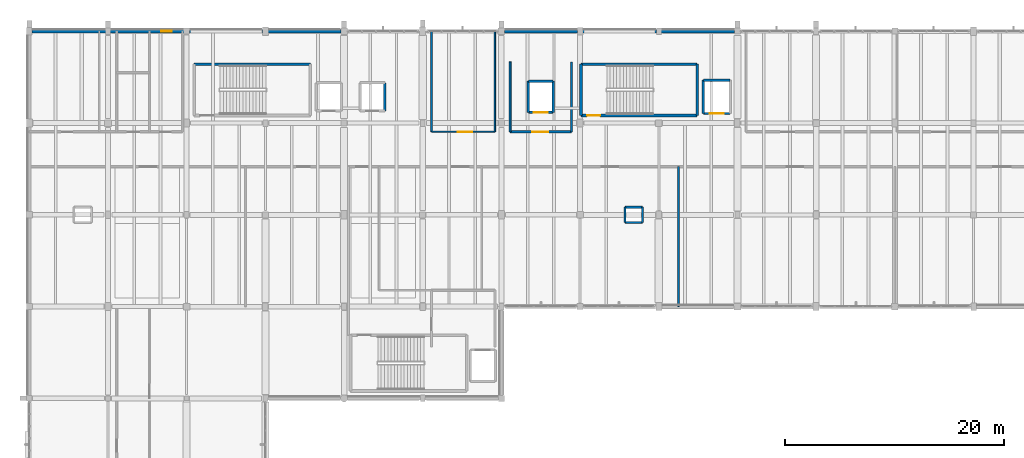
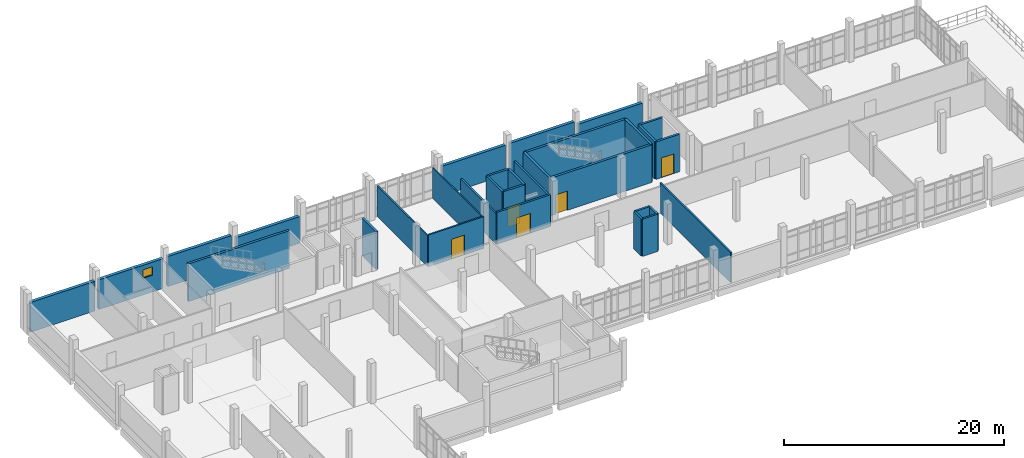
# One storey, part 55 of 62: 31 walls, 5 doors, 1 window, 6 openings.
"""IFC4 building model written with IfcOpenShell, lengths in metres."""

from ifc_helpers import new_model, si_unit, direction, frame, frame_2d, origin, place, context, subcontext, project, spatial, rectangle, extrude, material, layer, layer_set, type_object, element, fill, save


model = new_model("IFC4")

# Units and contexts
model_context = context("Model", 3, precision=1e-05, world=origin(), true_north=direction((0.0, 1.0)))
body_context = subcontext(model_context, "Body", "Model", "MODEL_VIEW")
ifc_project = project(units=[si_unit("LENGTHUNIT", "METRE"), si_unit("AREAUNIT", "SQUARE_METRE"), si_unit("VOLUMEUNIT", "CUBIC_METRE"), si_unit("PLANEANGLEUNIT", "RADIAN"), si_unit("MASSUNIT", "GRAM", prefix="KILO")], contexts=[model_context])

# Site, building, storey
site_placement = place(None, origin())
site = spatial("IfcSite", under=ifc_project, at=site_placement, CompositionType="ELEMENT")
building_placement = place(site_placement, origin())
building = spatial("IfcBuilding", under=site, at=building_placement, Name="Kalluvel Institute of Natural Sciences", CompositionType="ELEMENT")
storey_placement = place(building_placement, frame((0.0, 0.0, 27.89990234375)))
storey = spatial("IfcBuildingStorey", under=building, at=storey_placement, Name="L06", CompositionType="ELEMENT", Elevation=27.89990234375)

# Wall
ifc_material_1 = material(Name="Concrete M40", Category="concrete")
ifc_layer_1 = layer(ifc_material_1, 0.25)
ifc_layer_set_1 = layer_set([ifc_layer_1], Name="Concrete M40")
wall_type_1 = type_object("IfcWallType", Name="WL-CORE-250", PredefinedType="SHEAR", material=ifc_layer_set_1)
wall_1_placement = place(storey_placement, frame((39.715087890625, 124.985107421875, 0.0), z_axis=(0.0, 0.0, 1.0), x_axis=(-1.0, 0.0, 0.0)))
element("IfcWall", 1, at=wall_1_placement, inside=storey, type_object=wall_type_1, Name="ST1 L06 core wall N", PredefinedType="SHEAR", context=body_context, shape_type="SweptSolid", body=[
    extrude(rectangle(XDim=10.630126953125, YDim=0.25, at=frame_2d((5.31494140625, 0.0))), origin(), (0.0, 0.0, 1.0), 4.175048828125),
])

# Wall, opening, door
wall_2_placement = place(storey_placement, frame((64.485107421875, 120.284912109375, 0.0), z_axis=(0.0, 0.0, 1.0), x_axis=(1.0, 0.0, 0.0)))
wall_2 = element("IfcWall", 2, at=wall_2_placement, inside=storey, type_object=wall_type_1, Name="ST2 L06 core wall S", PredefinedType="SHEAR", context=body_context, shape_type="SweptSolid", body=[
    extrude(rectangle(XDim=10.6298828125, YDim=0.25, at=frame_2d((5.31494140625, 0.0))), origin(), (0.0, 0.0, 1.0), 4.175048828125),
])
opening_1_placement = place(wall_2_placement, frame((0.550048828125, 0.0, 0.0)))
opening_1 = element("IfcOpeningElement", 3, at=opening_1_placement, cuts=wall_2, Name="Opening DS-019", PredefinedType="OPENING", context=body_context, shape_type="SweptSolid", body=[
    extrude(rectangle(XDim=1.199951171875, YDim=2.14990234375, at=frame_2d((0.60009765625, 1.074951171875))), frame((0.0, 0.135009765625, 0.0), z_axis=(0.0, -1.0, 0.0), x_axis=(1.0, 0.0, 0.0)), (0.0, 0.0, 1.0), 0.27001953125),
])
ifc_material_2 = material(Name="Galvanized Fire-Rated Steel", Category="steel")
door_type_1 = type_object("IfcDoorType", Name="DR-ST-1200", OperationType="NOTDEFINED", PredefinedType="DOOR", material=ifc_material_2)
door_1_placement = place(opening_1_placement, origin())
door_1 = element("IfcDoor", 4, at=door_1_placement, inside=storey, type_object=door_type_1, Name="ST2 L06 protected stair door DS-019", OperationType="SINGLE_SWING_RIGHT", OverallHeight=2.14990234375, OverallWidth=1.199951171875, PredefinedType="DOOR", context=body_context, shape_type="SweptSolid", body=[
    extrude(rectangle(XDim=1.199951171875, YDim=2.14990234375, at=frame_2d((0.60009765625, 1.074951171875))), frame((0.0, 0.02490234375, 0.0), z_axis=(0.0, -1.0, 0.0), x_axis=(1.0, 0.0, 0.0)), (0.0, 0.0, 1.0), 0.050048828125),
])
fill(opening_1, door_1)

# Walls
wall_3_placement = place(storey_placement, frame((75.114990234375, 120.284912109375, 0.0), z_axis=(0.0, 0.0, 1.0), x_axis=(0.0, 1.0, 0.0)))
element("IfcWall", 5, at=wall_3_placement, inside=storey, type_object=wall_type_1, Name="ST2 L06 core wall E", PredefinedType="SHEAR", context=body_context, shape_type="SweptSolid", body=[
    extrude(rectangle(XDim=4.7001953125, YDim=0.25, at=frame_2d((2.35009765625, 0.0))), origin(), (0.0, 0.0, 1.0), 4.175048828125),
])
wall_4_placement = place(storey_placement, frame((75.114990234375, 124.985107421875, 0.0), z_axis=(0.0, 0.0, 1.0), x_axis=(-1.0, 0.0, 0.0)))
element("IfcWall", 6, at=wall_4_placement, inside=storey, type_object=wall_type_1, Name="ST2 L06 core wall N", PredefinedType="SHEAR", context=body_context, shape_type="SweptSolid", body=[
    extrude(rectangle(XDim=10.6298828125, YDim=0.25, at=frame_2d((5.31494140625, 0.0))), origin(), (0.0, 0.0, 1.0), 4.175048828125),
])
wall_5_placement = place(storey_placement, frame((64.485107421875, 124.985107421875, 0.0), z_axis=(0.0, 0.0, 1.0), x_axis=(0.0, -1.0, 0.0)))
element("IfcWall", 7, at=wall_5_placement, inside=storey, type_object=wall_type_1, Name="ST2 L06 core wall W", PredefinedType="SHEAR", context=body_context, shape_type="SweptSolid", body=[
    extrude(rectangle(XDim=4.7001953125, YDim=0.25, at=frame_2d((2.35009765625, 0.0))), origin(), (0.0, 0.0, 1.0), 4.175048828125),
])
ifc_material_3 = material(Name="Sadarahalli Grey Granite Ashlar Concrete M40", Category="masonry")
ifc_layer_2 = layer(ifc_material_3, 0.320068359375)
ifc_layer_set_2 = layer_set([ifc_layer_2], Name="Sadarahalli Grey Granite Ashlar Concrete M40")
wall_type_2 = type_object("IfcWallType", Name="WL-EXT-320", PredefinedType="SOLIDWALL", material=ifc_layer_set_2)
wall_6_placement = place(storey_placement, frame((14.22998046875, 128.0, 0.0), z_axis=(0.0, 0.0, 1.0), x_axis=(1.0, 0.0, 0.0)))
element("IfcWall", 8, at=wall_6_placement, inside=storey, type_object=wall_type_2, Name="L06 Sadarahalli granite exterior wall WL-EXT-L06-0074", PredefinedType="SOLIDWALL", context=body_context, shape_type="SweptSolid", body=[
    extrude(rectangle(XDim=6.76513671875, YDim=0.320068359375, at=frame_2d((3.382568359375, 0.0))), origin(), (0.0, 0.0, 1.0), 3.30517578125),
])

# Wall, opening, window
wall_7_placement = place(storey_placement, frame((21.405029296875, 128.0, 0.0), z_axis=(0.0, 0.0, 1.0), x_axis=(1.0, 0.0, 0.0)))
wall_7 = element("IfcWall", 9, at=wall_7_placement, inside=storey, type_object=wall_type_2, Name="L06 Sadarahalli granite exterior wall WL-EXT-L06-0075", PredefinedType="SOLIDWALL", context=body_context, shape_type="SweptSolid", body=[
    extrude(rectangle(XDim=6.739990234375, YDim=0.320068359375, at=frame_2d((3.3701171875, 0.0))), origin(), (0.0, 0.0, 1.0), 3.30517578125),
])
opening_2_placement = place(wall_7_placement, frame((4.64990234375, 0.0, 1.85009765625)))
opening_2 = element("IfcOpeningElement", 10, at=opening_2_placement, cuts=wall_7, Name="Opening W-23", PredefinedType="OPENING", context=body_context, shape_type="SweptSolid", body=[
    extrude(rectangle(XDim=1.0, YDim=0.949951171875, at=frame_2d((0.5, 0.47509765625))), frame((0.0, 0.169921875, 0.0), z_axis=(0.0, -1.0, 0.0), x_axis=(1.0, 0.0, 0.0)), (0.0, 0.0, 1.0), 0.340087890625),
])
ifc_material_4 = material(Name="Solar-Control Low-E Laminated Glass", Category="glass")
window_type = type_object("IfcWindowType", Name="WN-HIGH-100x095", PartitioningType="SINGLE_PANEL", PredefinedType="WINDOW", material=ifc_material_4)
window_placement = place(opening_2_placement, origin())
window = element("IfcWindow", 11, at=window_placement, inside=storey, type_object=window_type, Name="L06 Gothic lancet window 20", OverallHeight=0.949951171875, OverallWidth=1.0, PartitioningType="SINGLE_PANEL", PredefinedType="WINDOW", context=body_context, shape_type="SweptSolid", body=[
    extrude(rectangle(XDim=1.0, YDim=0.949951171875, at=frame_2d((0.5, 0.47509765625))), frame((0.0, 0.030029296875, 0.0), z_axis=(0.0, -1.0, 0.0), x_axis=(1.0, 0.0, 0.0)), (0.0, 0.0, 1.0), 0.06005859375),
])
fill(opening_2, window)

# Walls
wall_8_placement = place(storey_placement, frame((28.655029296875, 128.0, 0.0), z_axis=(0.0, 0.0, 1.0), x_axis=(1.0, 0.0, 0.0)))
element("IfcWall", 12, at=wall_8_placement, inside=storey, type_object=wall_type_2, Name="L06 Sadarahalli granite exterior wall WL-EXT-L06-0076", PredefinedType="SOLIDWALL", context=body_context, shape_type="SweptSolid", body=[
    extrude(rectangle(XDim=6.68994140625, YDim=0.320068359375, at=frame_2d((3.344970703125, 0.0))), origin(), (0.0, 0.0, 1.0), 3.35498046875),
])
wall_9_placement = place(storey_placement, frame((35.85498046875, 128.0, 0.0), z_axis=(0.0, 0.0, 1.0), x_axis=(1.0, 0.0, 0.0)))
element("IfcWall", 13, at=wall_9_placement, inside=storey, type_object=wall_type_2, Name="L06 Sadarahalli granite exterior wall WL-EXT-L06-0077", PredefinedType="SOLIDWALL", context=body_context, shape_type="SweptSolid", body=[
    extrude(rectangle(XDim=6.6650390625, YDim=0.320068359375, at=frame_2d((3.33251953125, 0.0))), origin(), (0.0, 0.0, 1.0), 2.955078125),
])
wall_10_placement = place(storey_placement, frame((57.47998046875, 128.0, 0.0), z_axis=(0.0, 0.0, 1.0), x_axis=(1.0, 0.0, 0.0)))
element("IfcWall", 14, at=wall_10_placement, inside=storey, type_object=wall_type_2, Name="L06 Sadarahalli granite exterior wall WL-EXT-L06-0078", PredefinedType="SOLIDWALL", context=body_context, shape_type="SweptSolid", body=[
    extrude(rectangle(XDim=6.68994140625, YDim=0.320068359375, at=frame_2d((3.344970703125, 0.0))), origin(), (0.0, 0.0, 1.0), 3.30517578125),
])
wall_11_placement = place(storey_placement, frame((64.6298828125, 128.0, 0.0), z_axis=(0.0, 0.0, 1.0), x_axis=(1.0, 0.0, 0.0)))
element("IfcWall", 15, at=wall_11_placement, inside=storey, type_object=wall_type_2, Name="L06 Sadarahalli granite exterior wall WL-EXT-L06-0079", PredefinedType="SOLIDWALL", context=body_context, shape_type="SweptSolid", body=[
    extrude(rectangle(XDim=6.76513671875, YDim=0.320068359375, at=frame_2d((3.382568359375, 0.0))), origin(), (0.0, 0.0, 1.0), 3.35498046875),
])
wall_12_placement = place(storey_placement, frame((71.804931640625, 128.0, 0.0), z_axis=(0.0, 0.0, 1.0), x_axis=(1.0, 0.0, 0.0)))
element("IfcWall", 16, at=wall_12_placement, inside=storey, type_object=wall_type_2, Name="L06 Sadarahalli granite exterior wall WL-EXT-L06-0080", PredefinedType="SOLIDWALL", context=body_context, shape_type="SweptSolid", body=[
    extrude(rectangle(XDim=6.739990234375, YDim=0.320068359375, at=frame_2d((3.3701171875, 0.0))), origin(), (0.0, 0.0, 1.0), 2.955078125),
])
ifc_material_5 = material(Name="Autoclaved Aerated Concrete Masonry Block", Category="masonry")
ifc_layer_3 = layer(ifc_material_5, 0.179931640625)
ifc_layer_set_3 = layer_set([ifc_layer_3], Name="Autoclaved Aerated Concrete Masonry Block")
wall_type_3 = type_object("IfcWallType", Name="WL-FIRE-180", PredefinedType="SOLIDWALL", material=ifc_layer_set_3)
wall_13_placement = place(storey_placement, frame((58.0, 118.800048828125, 0.0), z_axis=(0.0, 0.0, 1.0), x_axis=(0.0, 1.0, 0.0)))
element("IfcWall", 17, at=wall_13_placement, inside=storey, type_object=wall_type_3, Name="L06 interior fire wall WL-INT-L06-0275", PredefinedType="SOLIDWALL", context=body_context, shape_type="SweptSolid", body=[
    extrude(rectangle(XDim=6.39990234375, YDim=0.179931640625, at=frame_2d((3.199951171875, 0.0))), origin(), (0.0, 0.0, 1.0), 3.360107421875),
])

# Wall, opening, door
ifc_layer_4 = layer(ifc_material_5, 0.199951171875)
ifc_layer_set_4 = layer_set([ifc_layer_4], Name="Autoclaved Aerated Concrete Masonry Block")
wall_type_4 = type_object("IfcWallType", Name="WL-FIRE-200", PredefinedType="SOLIDWALL", material=ifc_layer_set_4)
wall_14_placement = place(storey_placement, frame((58.0, 118.800048828125, 0.0), z_axis=(0.0, 0.0, 1.0), x_axis=(1.0, 0.0, 0.0)))
wall_14 = element("IfcWall", 18, at=wall_14_placement, inside=storey, type_object=wall_type_4, Name="L06 interior fire wall WL-INT-L06-0274", PredefinedType="SOLIDWALL", context=body_context, shape_type="SweptSolid", body=[
    extrude(rectangle(XDim=5.60009765625, YDim=0.199951171875, at=frame_2d((2.800048828125, 0.0))), origin(), (0.0, 0.0, 1.0), 3.5400390625),
])
opening_3_placement = place(wall_14_placement, frame((2.0, 0.0, 0.0)))
opening_3 = element("IfcOpeningElement", 19, at=opening_3_placement, cuts=wall_14, Name="Opening D-213", PredefinedType="OPENING", context=body_context, shape_type="SweptSolid", body=[
    extrude(rectangle(XDim=1.5, YDim=2.199951171875, at=frame_2d((0.75, 1.10009765625))), frame((0.0, 0.10986328125, 0.0), z_axis=(0.0, -1.0, 0.0), x_axis=(1.0, 0.0, 0.0)), (0.0, 0.0, 1.0), 0.219970703125),
])
door_type_2 = type_object("IfcDoorType", Name="DR-FD60-1500", OperationType="NOTDEFINED", PredefinedType="DOOR", material=ifc_material_2)
door_2_placement = place(opening_3_placement, origin())
door_2 = element("IfcDoor", 20, at=door_2_placement, inside=storey, type_object=door_type_2, Name="L06 FF1 door D-213", OperationType="DOUBLE_DOOR_SINGLE_SWING", OverallHeight=2.199951171875, OverallWidth=1.5, PredefinedType="DOOR", context=body_context, shape_type="SweptSolid", body=[
    extrude(rectangle(XDim=1.5, YDim=2.199951171875, at=frame_2d((0.75, 1.10009765625))), frame((0.0, 0.02490234375, 0.0), z_axis=(0.0, -1.0, 0.0), x_axis=(1.0, 0.0, 0.0)), (0.0, 0.0, 1.0), 0.050048828125),
])
fill(opening_3, door_2)

# Walls
wall_15_placement = place(storey_placement, frame((63.60009765625, 118.800048828125, 0.0), z_axis=(0.0, 0.0, 1.0), x_axis=(0.0, 1.0, 0.0)))
element("IfcWall", 21, at=wall_15_placement, inside=storey, type_object=wall_type_4, Name="L06 interior fire wall WL-INT-L06-0276", PredefinedType="SOLIDWALL", context=body_context, shape_type="SweptSolid", body=[
    extrude(rectangle(XDim=6.39990234375, YDim=0.199951171875, at=frame_2d((3.199951171875, 0.0))), origin(), (0.0, 0.0, 1.0), 3.360107421875),
])
ifc_material_6 = material(Name="Acoustic Gypsum Twin-Stud Partition", Category="gypsum")
ifc_layer_5 = layer(ifc_material_6, 0.1201171875)
ifc_layer_set_5 = layer_set([ifc_layer_5], Name="Acoustic Gypsum Twin-Stud Partition")
wall_type_5 = type_object("IfcWallType", Name="WL-PART-120", PredefinedType="PARTITIONING", material=ifc_layer_set_5)
wall_16_placement = place(storey_placement, frame((56.60009765625, 118.800048828125, 0.0), z_axis=(0.0, 0.0, 1.0), x_axis=(0.0, 1.0, 0.0)))
element("IfcWall", 22, at=wall_16_placement, inside=storey, type_object=wall_type_5, Name="L06 interior partition wall WL-INT-L06-0291", PredefinedType="PARTITIONING", context=body_context, shape_type="SweptSolid", body=[
    extrude(rectangle(XDim=9.199951171875, YDim=0.1201171875, at=frame_2d((4.60009765625, 0.0))), origin(), (0.0, 0.0, 1.0), 3.41015625),
])
ifc_layer_6 = layer(ifc_material_6, 0.139892578125)
ifc_layer_set_6 = layer_set([ifc_layer_6], Name="Acoustic Gypsum Twin-Stud Partition")
wall_type_6 = type_object("IfcWallType", Name="WL-PART-140", PredefinedType="PARTITIONING", material=ifc_layer_set_6)
wall_17_placement = place(storey_placement, frame((50.800048828125, 118.800048828125, 0.0), z_axis=(0.0, 0.0, 1.0), x_axis=(0.0, 1.0, 0.0)))
element("IfcWall", 23, at=wall_17_placement, inside=storey, type_object=wall_type_6, Name="L06 interior partition wall WL-INT-L06-0290", PredefinedType="PARTITIONING", context=body_context, shape_type="SweptSolid", body=[
    extrude(rectangle(XDim=9.199951171875, YDim=0.139892578125, at=frame_2d((4.60009765625, 0.0))), origin(), (0.0, 0.0, 1.0), 3.41015625),
])

# Wall, opening, door
ifc_layer_7 = layer(ifc_material_5, 0.159912109375)
ifc_layer_set_7 = layer_set([ifc_layer_7], Name="Autoclaved Aerated Concrete Masonry Block")
wall_type_7 = type_object("IfcWallType", Name="WL-PART-160", PredefinedType="PARTITIONING", material=ifc_layer_set_7)
wall_18_placement = place(storey_placement, frame((50.800048828125, 118.800048828125, 0.0), z_axis=(0.0, 0.0, 1.0), x_axis=(1.0, 0.0, 0.0)))
wall_18 = element("IfcWall", 24, at=wall_18_placement, inside=storey, type_object=wall_type_7, Name="L06 interior partition wall WL-INT-L06-0289", PredefinedType="PARTITIONING", context=body_context, shape_type="SweptSolid", body=[
    extrude(rectangle(XDim=5.800048828125, YDim=0.159912109375, at=frame_2d((2.89990234375, 0.0))), origin(), (0.0, 0.0, 1.0), 3.5400390625),
])
opening_4_placement = place(wall_18_placement, frame((2.39990234375, 0.0, 0.0)))
opening_4 = element("IfcOpeningElement", 25, at=opening_4_placement, cuts=wall_18, Name="Opening D-218", PredefinedType="OPENING", context=body_context, shape_type="SweptSolid", body=[
    extrude(rectangle(XDim=1.35009765625, YDim=2.199951171875, at=frame_2d((0.675048828125, 1.10009765625))), frame((0.0, 0.08984375, 0.0), z_axis=(0.0, -1.0, 0.0), x_axis=(1.0, 0.0, 0.0)), (0.0, 0.0, 1.0), 0.179931640625),
])
ifc_material_7 = material(Name="Aluminium AW-6063 T6", Category="aluminium")
door_type_3 = type_object("IfcDoorType", Name="DR-INT-1350", OperationType="NOTDEFINED", PredefinedType="DOOR", material=ifc_material_7)
door_3_placement = place(opening_4_placement, origin())
door_3 = element("IfcDoor", 26, at=door_3_placement, inside=storey, type_object=door_type_3, Name="L06 North Write-Up door D-218", OperationType="SINGLE_SWING_RIGHT", OverallHeight=2.199951171875, OverallWidth=1.35009765625, PredefinedType="DOOR", context=body_context, shape_type="SweptSolid", body=[
    extrude(rectangle(XDim=1.35009765625, YDim=2.199951171875, at=frame_2d((0.675048828125, 1.10009765625))), frame((0.0, 0.02490234375, 0.0), z_axis=(0.0, -1.0, 0.0), x_axis=(1.0, 0.0, 0.0)), (0.0, 0.0, 1.0), 0.050048828125),
])
fill(opening_4, door_3)

# Walls
wall_19_placement = place(storey_placement, frame((73.39990234375, 102.800048828125, 0.0), z_axis=(0.0, 0.0, 1.0), x_axis=(0.0, 1.0, 0.0)))
element("IfcWall", 27, at=wall_19_placement, inside=storey, type_object=wall_type_7, Name="L06 interior partition wall WL-INT-L06-0298", PredefinedType="PARTITIONING", context=body_context, shape_type="SweptSolid", body=[
    extrude(rectangle(XDim=12.800048828125, YDim=0.159912109375, at=frame_2d((6.39990234375, 0.0))), origin(), (0.0, 0.0, 1.0), 3.360107421875),
])
ifc_layer_8 = layer(ifc_material_1, 0.199951171875)
ifc_layer_set_8 = layer_set([ifc_layer_8], Name="Concrete M40")
wall_type_8 = type_object("IfcWallType", Name="WL-RISER-200", PredefinedType="SHEAR", material=ifc_layer_set_8)
wall_20_placement = place(storey_placement, frame((68.5, 110.5, 0.0), z_axis=(0.0, 0.0, 1.0), x_axis=(1.0, 0.0, 0.0)))
element("IfcWall", 28, at=wall_20_placement, inside=storey, type_object=wall_type_8, Name="RS-WET-E L06 service riser enclosure S", PredefinedType="SHEAR", context=body_context, shape_type="SweptSolid", body=[
    extrude(rectangle(XDim=1.60009765625, YDim=0.199951171875, at=frame_2d((0.800048828125, 0.0))), origin(), (0.0, 0.0, 1.0), 4.14013671875),
])
wall_21_placement = place(storey_placement, frame((70.10009765625, 110.5, 0.0), z_axis=(0.0, 0.0, 1.0), x_axis=(0.0, 1.0, 0.0)))
element("IfcWall", 29, at=wall_21_placement, inside=storey, type_object=wall_type_8, Name="RS-WET-E L06 service riser enclosure E", PredefinedType="SHEAR", context=body_context, shape_type="SweptSolid", body=[
    extrude(rectangle(XDim=1.39990234375, YDim=0.199951171875, at=frame_2d((0.699951171875, 0.0))), origin(), (0.0, 0.0, 1.0), 4.14013671875),
])
wall_22_placement = place(storey_placement, frame((70.10009765625, 111.89990234375, 0.0), z_axis=(0.0, 0.0, 1.0), x_axis=(-1.0, 0.0, 0.0)))
element("IfcWall", 30, at=wall_22_placement, inside=storey, type_object=wall_type_8, Name="RS-WET-E L06 service riser enclosure N", PredefinedType="SHEAR", context=body_context, shape_type="SweptSolid", body=[
    extrude(rectangle(XDim=1.60009765625, YDim=0.199951171875, at=frame_2d((0.800048828125, 0.0))), origin(), (0.0, 0.0, 1.0), 4.14013671875),
])
wall_23_placement = place(storey_placement, frame((68.5, 111.89990234375, 0.0), z_axis=(0.0, 0.0, 1.0), x_axis=(0.0, -1.0, 0.0)))
element("IfcWall", 31, at=wall_23_placement, inside=storey, type_object=wall_type_8, Name="RS-WET-E L06 service riser enclosure W", PredefinedType="SHEAR", context=body_context, shape_type="SweptSolid", body=[
    extrude(rectangle(XDim=1.39990234375, YDim=0.199951171875, at=frame_2d((0.699951171875, 0.0))), origin(), (0.0, 0.0, 1.0), 4.14013671875),
])
ifc_layer_9 = layer(ifc_material_1, 0.219970703125)
ifc_layer_set_9 = layer_set([ifc_layer_9], Name="Concrete M40")
wall_type_9 = type_object("IfcWallType", Name="WL-SHAFT-220", PredefinedType="SHEAR", material=ifc_layer_set_9)
wall_24_placement = place(storey_placement, frame((46.530029296875, 120.719970703125, 0.0), z_axis=(0.0, 0.0, 1.0), x_axis=(0.0, 1.0, 0.0)))
element("IfcWall", 32, at=wall_24_placement, inside=storey, type_object=wall_type_9, Name="LF2 L06 lift shaft wall", PredefinedType="SHEAR", context=body_context, shape_type="SweptSolid", body=[
    extrude(rectangle(XDim=2.56005859375, YDim=0.219970703125, at=frame_2d((1.280029296875, 0.0))), origin(), (0.0, 0.0, 1.0), 4.175048828125),
])

# Wall, opening, door
wall_25_placement = place(storey_placement, frame((59.669921875, 120.570068359375, 0.0), z_axis=(0.0, 0.0, 1.0), x_axis=(1.0, 0.0, 0.0)))
wall_25 = element("IfcWall", 33, at=wall_25_placement, inside=storey, type_object=wall_type_9, Name="LF3 L06 lift shaft wall", PredefinedType="SHEAR", context=body_context, shape_type="SweptSolid", body=[
    extrude(rectangle(XDim=2.260009765625, YDim=0.219970703125, at=frame_2d((1.1298828125, 0.0))), origin(), (0.0, 0.0, 1.0), 4.175048828125),
])
opening_5_placement = place(wall_25_placement, frame((0.47998046875, 0.0, 0.0)))
opening_5 = element("IfcOpeningElement", 34, at=opening_5_placement, cuts=wall_25, Name="Opening LD-028", PredefinedType="OPENING", context=body_context, shape_type="SweptSolid", body=[
    extrude(rectangle(XDim=1.300048828125, YDim=2.199951171875, at=frame_2d((0.64990234375, 1.10009765625))), frame((0.0, 0.119873046875, 0.0), z_axis=(0.0, -1.0, 0.0), x_axis=(1.0, 0.0, 0.0)), (0.0, 0.0, 1.0), 0.239990234375),
])
door_type_4 = type_object("IfcDoorType", Name="DR-LD-1300", OperationType="NOTDEFINED", PredefinedType="DOOR", material=ifc_material_2)
door_4_placement = place(opening_5_placement, origin())
door_4 = element("IfcDoor", 35, at=door_4_placement, inside=storey, type_object=door_type_4, Name="LF3 L06 sliding lift landing door LD-028", OperationType="DOUBLE_DOOR_SLIDING", OverallHeight=2.199951171875, OverallWidth=1.300048828125, PredefinedType="DOOR", context=body_context, shape_type="SweptSolid", body=[
    extrude(rectangle(XDim=1.300048828125, YDim=2.199951171875, at=frame_2d((0.64990234375, 1.10009765625))), frame((0.0, 0.02490234375, 0.0), z_axis=(0.0, -1.0, 0.0), x_axis=(1.0, 0.0, 0.0)), (0.0, 0.0, 1.0), 0.050048828125),
])
fill(opening_5, door_4)

# Walls
wall_26_placement = place(storey_placement, frame((61.929931640625, 120.570068359375, 0.0), z_axis=(0.0, 0.0, 1.0), x_axis=(0.0, 1.0, 0.0)))
element("IfcWall", 36, at=wall_26_placement, inside=storey, type_object=wall_type_9, Name="LF3 L06 lift shaft wall", PredefinedType="SHEAR", context=body_context, shape_type="SweptSolid", body=[
    extrude(rectangle(XDim=2.85986328125, YDim=0.219970703125, at=frame_2d((1.429931640625, 0.0))), origin(), (0.0, 0.0, 1.0), 4.175048828125),
])
wall_27_placement = place(storey_placement, frame((61.929931640625, 123.429931640625, 0.0), z_axis=(0.0, 0.0, 1.0), x_axis=(-1.0, 0.0, 0.0)))
element("IfcWall", 37, at=wall_27_placement, inside=storey, type_object=wall_type_9, Name="LF3 L06 lift shaft wall", PredefinedType="SHEAR", context=body_context, shape_type="SweptSolid", body=[
    extrude(rectangle(XDim=2.260009765625, YDim=0.219970703125, at=frame_2d((1.1298828125, 0.0))), origin(), (0.0, 0.0, 1.0), 4.175048828125),
])
wall_28_placement = place(storey_placement, frame((59.669921875, 123.429931640625, 0.0), z_axis=(0.0, 0.0, 1.0), x_axis=(0.0, -1.0, 0.0)))
element("IfcWall", 38, at=wall_28_placement, inside=storey, type_object=wall_type_9, Name="LF3 L06 lift shaft wall", PredefinedType="SHEAR", context=body_context, shape_type="SweptSolid", body=[
    extrude(rectangle(XDim=2.85986328125, YDim=0.219970703125, at=frame_2d((1.429931640625, 0.0))), origin(), (0.0, 0.0, 1.0), 4.175048828125),
])

# Wall, opening, door
wall_29_placement = place(storey_placement, frame((75.669921875, 120.469970703125, 0.0), z_axis=(0.0, 0.0, 1.0), x_axis=(1.0, 0.0, 0.0)))
wall_29 = element("IfcWall", 39, at=wall_29_placement, inside=storey, type_object=wall_type_9, Name="LF4 L06 lift shaft wall", PredefinedType="SHEAR", context=body_context, shape_type="SweptSolid", body=[
    extrude(rectangle(XDim=2.4599609375, YDim=0.219970703125, at=frame_2d((1.22998046875, 0.0))), origin(), (0.0, 0.0, 1.0), 4.175048828125),
])
opening_6_placement = place(wall_29_placement, frame((0.580078125, 0.0, 0.0)))
opening_6 = element("IfcOpeningElement", 40, at=opening_6_placement, cuts=wall_29, Name="Opening LD-038", PredefinedType="OPENING", context=body_context, shape_type="SweptSolid", body=[
    extrude(rectangle(XDim=1.300048828125, YDim=2.199951171875, at=frame_2d((0.64990234375, 1.10009765625))), frame((0.0, 0.119873046875, 0.0), z_axis=(0.0, -1.0, 0.0), x_axis=(1.0, 0.0, 0.0)), (0.0, 0.0, 1.0), 0.239990234375),
])
door_5_placement = place(opening_6_placement, origin())
door_5 = element("IfcDoor", 41, at=door_5_placement, inside=storey, type_object=door_type_4, Name="LF4 L06 sliding lift landing door LD-038", OperationType="DOUBLE_DOOR_SLIDING", OverallHeight=2.199951171875, OverallWidth=1.300048828125, PredefinedType="DOOR", context=body_context, shape_type="SweptSolid", body=[
    extrude(rectangle(XDim=1.300048828125, YDim=2.199951171875, at=frame_2d((0.64990234375, 1.10009765625))), frame((0.0, 0.02490234375, 0.0), z_axis=(0.0, -1.0, 0.0), x_axis=(1.0, 0.0, 0.0)), (0.0, 0.0, 1.0), 0.050048828125),
])
fill(opening_6, door_5)

# Walls
wall_30_placement = place(storey_placement, frame((78.1298828125, 123.530029296875, 0.0), z_axis=(0.0, 0.0, 1.0), x_axis=(-1.0, 0.0, 0.0)))
element("IfcWall", 42, at=wall_30_placement, inside=storey, type_object=wall_type_9, Name="LF4 L06 lift shaft wall", PredefinedType="SHEAR", context=body_context, shape_type="SweptSolid", body=[
    extrude(rectangle(XDim=2.4599609375, YDim=0.219970703125, at=frame_2d((1.22998046875, 0.0))), origin(), (0.0, 0.0, 1.0), 4.175048828125),
])
wall_31_placement = place(storey_placement, frame((75.669921875, 123.530029296875, 0.0), z_axis=(0.0, 0.0, 1.0), x_axis=(0.0, -1.0, 0.0)))
element("IfcWall", 43, at=wall_31_placement, inside=storey, type_object=wall_type_9, Name="LF4 L06 lift shaft wall", PredefinedType="SHEAR", context=body_context, shape_type="SweptSolid", body=[
    extrude(rectangle(XDim=3.06005859375, YDim=0.219970703125, at=frame_2d((1.530029296875, 0.0))), origin(), (0.0, 0.0, 1.0), 4.175048828125),
])

save(model, "model.ifc")
